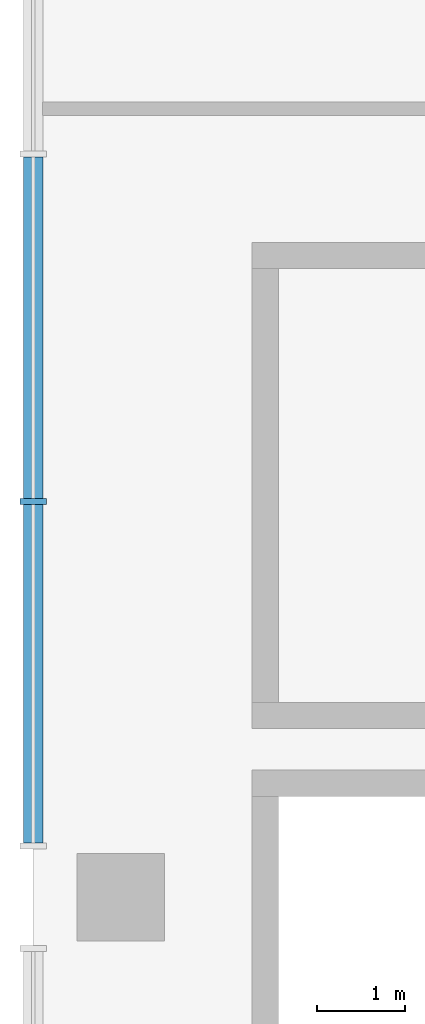
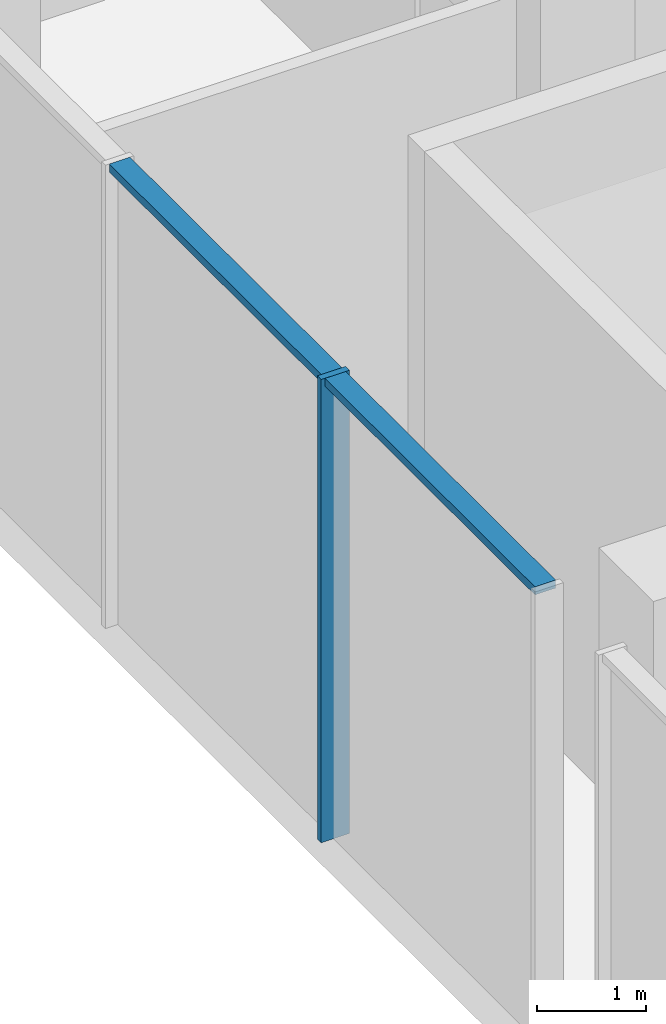
# One storey, part 3 of 25: 3 members, 1 element without a shape of its own.
"""IFC4 building model written with IfcOpenShell, lengths in metres."""

from ifc_helpers import new_model, si_unit, direction, frame, origin, origin_2d, place, context, subcontext, project, spatial, rectangle, extrude, material, material_profile, profile_set, type_object, element, aggregate, save


model = new_model("IFC4")

# Units and contexts
model_context = context("Model", 3, precision=1e-05, world=origin(), true_north=direction((0.0, 1.0)))
body_context = subcontext(model_context, "Body", "Model", "MODEL_VIEW")
ifc_project = project(units=[si_unit("LENGTHUNIT", "METRE"), si_unit("AREAUNIT", "SQUARE_METRE"), si_unit("VOLUMEUNIT", "CUBIC_METRE"), si_unit("PLANEANGLEUNIT", "RADIAN"), si_unit("MASSUNIT", "GRAM", prefix="KILO")], contexts=[model_context])

# Site, building, storey
site_placement = place(None, origin())
site = spatial("IfcSite", under=ifc_project, at=site_placement, CompositionType="ELEMENT")
building_placement = place(site_placement, origin())
building = spatial("IfcBuilding", under=site, at=building_placement, Name="Wharfspan Tower", CompositionType="ELEMENT")
storey_placement = place(building_placement, frame((0.0, 0.0, 27.5)))
storey = spatial("IfcBuildingStorey", under=building, at=storey_placement, Name="L04", CompositionType="ELEMENT", Elevation=27.5)

# Curtain wall, members
ifc_material = material(Name="Aluminium 6063-T6", Category="aluminium")
curtain_wall_type = type_object("IfcCurtainWallType", Name="CURTAIN WALL ARENA STICK WALL", PredefinedType="NOTDEFINED", material=ifc_material)
curtain_wall_placement = place(storey_placement, origin())
curtain_wall = element("IfcCurtainWall", 1, at=curtain_wall_placement, inside=storey, type_object=curtain_wall_type, Name="Concourse stick wall PF12.3", PredefinedType="NOTDEFINED")
ifc_material_profile_1 = material_profile(ifc_material, rectangle(XDim=0.300049, YDim=0.070068, at=origin_2d()))
ifc_profile_set_1 = profile_set([ifc_material_profile_1], Name="Aluminium 6063-T6")
member_type_1 = type_object("IfcMemberType", Name="MULLION ARENA STICK WALL 70x300", PredefinedType="MULLION", material=ifc_profile_set_1)
member_1_placement = place(storey_placement, frame((-12.0, 28.516602, 0.0), z_axis=(0.0, 0.0, 1.0), x_axis=(1.0, 0.0, 0.0)))
member_1 = element("IfcMember", 2, at=member_1_placement, type_object=member_type_1, Name="Concourse stick wall PF12.3 mullion 3", PredefinedType="MULLION", context=body_context, shape_type="SweptSolid", body=[
    extrude(rectangle(XDim=0.300049, YDim=0.070068, at=origin_2d()), origin(), (0.0, 0.0, 1.0), 5.199951),
])
ifc_material_profile_2 = material_profile(ifc_material, rectangle(XDim=0.219971, YDim=0.090088, at=origin_2d()))
ifc_profile_set_2 = profile_set([ifc_material_profile_2], Name="Aluminium 6063-T6")
member_type_2 = type_object("IfcMemberType", Name="TRANSOM ARENA STICK WALL 90x220", PredefinedType="USERDEFINED", material=ifc_profile_set_2)
member_2_placement = place(storey_placement, frame((-12.0, 32.448242, 5.155029), z_axis=(0.0, -1.0, 0.0), x_axis=(1.0, 0.0, 0.0)))
member_2 = element("IfcMember", 3, at=member_2_placement, type_object=member_type_2, Name="Concourse stick wall PF12.3 transom 2", ObjectType="TRANSOM", PredefinedType="USERDEFINED", context=body_context, shape_type="SweptSolid", body=[
    extrude(rectangle(XDim=0.219971, YDim=0.090088, at=origin_2d()), origin(), (0.0, 0.0, 1.0), 3.896484),
])
member_3_placement = place(storey_placement, frame((-12.0, 28.481689, 5.155029), z_axis=(0.0, -1.0, 0.0), x_axis=(1.0, 0.0, 0.0)))
member_3 = element("IfcMember", 4, at=member_3_placement, type_object=member_type_2, Name="Concourse stick wall PF12.3 transom 3", ObjectType="TRANSOM", PredefinedType="USERDEFINED", context=body_context, shape_type="SweptSolid", body=[
    extrude(rectangle(XDim=0.219971, YDim=0.090088, at=origin_2d()), origin(), (0.0, 0.0, 1.0), 3.861572),
])
aggregate(curtain_wall, [member_1, member_2, member_3])

save(model, "model.ifc")
